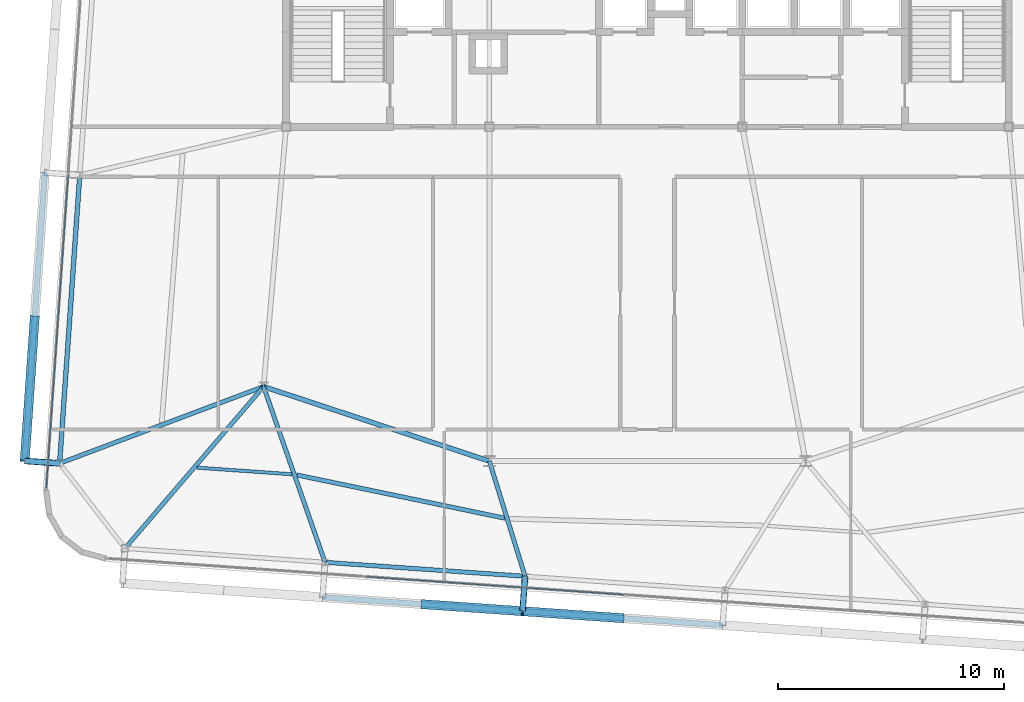
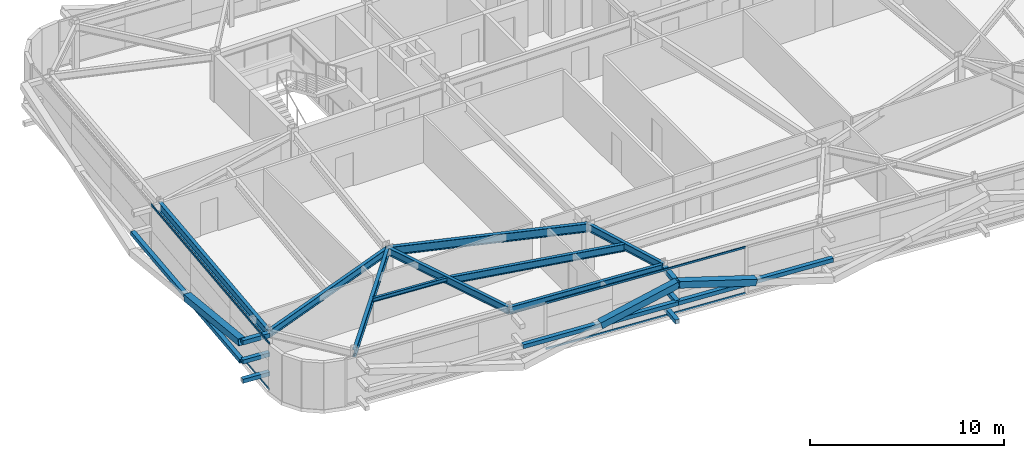
# One storey, part 8 of 39: 16 members, 9 beams, 2 elements without a shape of their own.
"""IFC4 building model written with IfcOpenShell, lengths in metres."""

from ifc_helpers import new_model, si_unit, direction, frame, origin, origin_2d, place, context, subcontext, project, spatial, hollow_rectangle, i_section, extrude, source, transform, mapped, material, layer, layer_set, material_profile, profile_set, type_object, element, aggregate, save


model = new_model("IFC4")

# Units and contexts
model_context = context("Model", 3, precision=1e-05, world=origin(), true_north=direction((0.0, 1.0)))
body_context = subcontext(model_context, "Body", "Model", "MODEL_VIEW")
ifc_project = project(units=[si_unit("LENGTHUNIT", "METRE"), si_unit("AREAUNIT", "SQUARE_METRE"), si_unit("VOLUMEUNIT", "CUBIC_METRE"), si_unit("PLANEANGLEUNIT", "RADIAN"), si_unit("MASSUNIT", "GRAM", prefix="KILO")], contexts=[model_context])

# Site, building, storey
site_placement = place(None, origin())
site = spatial("IfcSite", under=ifc_project, at=site_placement, CompositionType="ELEMENT")
building_placement = place(site_placement, origin())
building = spatial("IfcBuilding", under=site, at=building_placement, Name="Taldren Reach Tower", CompositionType="ELEMENT")
storey_placement = place(building_placement, frame((0.0, 0.0, 129.85009765625)))
storey = spatial("IfcBuildingStorey", under=building, at=storey_placement, Name="L39", CompositionType="ELEMENT", Elevation=129.85009765625)

# Beam
ifc_material_1 = material(Name="Steel Gr 350 (350PLUS)", Category="steel")
ifc_material_profile_1 = material_profile(ifc_material_1, i_section(OverallWidth=0.208984375, OverallDepth=0.532958984375, WebThickness=0.01025390625, FlangeThickness=0.015625, at=origin_2d()), Name="530UB92.4")
ifc_profile_set_1 = profile_set([ifc_material_profile_1], Name="Steel Gr 350 (350PLUS)")
beam_type_1 = type_object("IfcBeamType", Name="BM-UB530A", PredefinedType="BEAM", material=ifc_profile_set_1)
shared_shape_1 = source(origin(), body_context, "Body", "SweptSolid", [
    extrude(i_section(OverallWidth=0.208984375, OverallDepth=0.532958984375, WebThickness=0.01025390625, FlangeThickness=0.015625, at=origin_2d()), origin(), (0.0, 0.0, 1.0), 10.530517578125),
])
beam_1_placement = place(storey_placement, frame((18.0, 12.5, 2.663330078125), z_axis=(0.949627269203, -0.313381635689, 0.0), x_axis=(0.313381635689, 0.949627269203, 0.0)))
element("IfcBeam", 1, at=beam_1_placement, inside=storey, type_object=beam_type_1, Name="Core-spine girder L39-SP10", PredefinedType="BEAM", context=body_context, shape_type="MappedRepresentation", body=[
    mapped(shared_shape_1, transform((0.0, 0.0, 0.0), scale=1.0)),
])

# Members
ifc_material_2 = material(Name="Steel Gr 450 (C450L0)", Category="steel")
ifc_material_profile_2 = material_profile(ifc_material_2, hollow_rectangle(XDim=0.27490234375, YDim=0.27490234375, WallThickness=0.00927734375, at=origin_2d()), Name="275x275x9.3SHS")
ifc_profile_set_2 = profile_set([ifc_material_profile_2], Name="Steel Gr 450 (C450L0)")
member_type_1 = type_object("IfcMemberType", Name="MB-TIE273", PredefinedType="STRUT", material=ifc_profile_set_2)
shared_shape_2 = source(origin(), body_context, "Body", "SweptSolid", [
    extrude(hollow_rectangle(XDim=0.27490234375, YDim=0.27490234375, WallThickness=0.00927734375, at=origin_2d()), origin(), (0.0, 0.0, 1.0), 1.5498046875),
])
member_1_placement = place(storey_placement, frame((8.96875, 9.099609375, 2.64990234375), z_axis=(-0.997573320145, 0.069623781384, 0.0), x_axis=(-0.069623781384, -0.997573320145, 0.0)))
element("IfcMember", 2, at=member_1_placement, inside=storey, type_object=member_type_1, Name="Exoskeleton diaphragm tie strut B3-W1 L39", PredefinedType="STRUT", context=body_context, shape_type="MappedRepresentation", body=[
    mapped(shared_shape_2, transform((0.0, 0.0, 0.0), scale=1.0)),
])
ifc_material_3 = material(Name="Steel Gr 350 (C350L0)", Category="steel")
ifc_material_profile_3 = material_profile(ifc_material_3, hollow_rectangle(XDim=0.25, YDim=0.25, WallThickness=0.010009765625, at=origin_2d()), Name="250x250x10.0SHS")
ifc_profile_set_3 = profile_set([ifc_material_profile_3], Name="Steel Gr 350 (C350L0)")
member_type_2 = type_object("IfcMemberType", Name="MB-POST250", PredefinedType="POST", material=ifc_profile_set_3)
shared_shape_3 = source(origin(), body_context, "Body", "SweptSolid", [
    extrude(hollow_rectangle(XDim=0.25, YDim=0.25, WallThickness=0.010009765625, at=origin_2d()), origin(), (0.0, 0.0, 1.0), 1.5498046875),
])
for number, where, z_axis, x_axis, name in (
    (3, (8.96875, 9.099609375, 0.219970703125), (-0.997573320145, 0.069623781384, 0.0), (-0.069623781384, -0.997573320145, 0.0), "Exoskeleton base diaphragm tie strut B3-W1 L39"),
    (4, (8.96875, 9.099609375, 1.434814453125), (-0.997573320145, 0.069623781384, 0.0), (-0.069623781384, -0.997573320145, 0.0), "Exoskeleton mid-tier diaphragm tie B3-W1 L39"),
):
    element("IfcMember", number, at=place(storey_placement, frame(where, z_axis=z_axis, x_axis=x_axis)), inside=storey, type_object=member_type_2, Name=name, PredefinedType="POST", context=body_context, shape_type="MappedRepresentation", body=[
        mapped(shared_shape_3, transform((0.0, 0.0, 0.0), scale=1.0)),
    ])
shared_shape_4 = source(origin(), body_context, "Body", "SweptSolid", [
    extrude(hollow_rectangle(XDim=0.27490234375, YDim=0.27490234375, WallThickness=0.00927734375, at=origin_2d()), origin(), (0.0, 0.0, 1.0), 1.550048828125),
])
member_2_placement = place(storey_placement, frame((29.580322265625, 4.099609375, 2.64990234375), z_axis=(-0.06976957191, -0.99756313426, 0.0), x_axis=(0.99756313426, -0.06976957191, 0.0)))
element("IfcMember", 5, at=member_2_placement, inside=storey, type_object=member_type_1, Name="Exoskeleton diaphragm tie strut B3-S3 L39", PredefinedType="STRUT", context=body_context, shape_type="MappedRepresentation", body=[
    mapped(shared_shape_4, transform((0.0, 0.0, 0.0), scale=1.0)),
])
shared_shape_5 = source(origin(), body_context, "Body", "SweptSolid", [
    extrude(hollow_rectangle(XDim=0.25, YDim=0.25, WallThickness=0.010009765625, at=origin_2d()), origin(), (0.0, 0.0, 1.0), 1.550048828125),
])
for number, where, z_axis, x_axis, name in (
    (6, (29.580322265625, 4.099609375, 0.219970703125), (-0.06976957191, -0.99756313426, 0.0), (0.99756313426, -0.06976957191, 0.0), "Exoskeleton base diaphragm tie strut B3-S3 L39"),
    (7, (29.580322265625, 4.099609375, 1.434814453125), (-0.06976957191, -0.99756313426, 0.0), (0.99756313426, -0.06976957191, 0.0), "Exoskeleton mid-tier diaphragm tie B3-S3 L39"),
):
    element("IfcMember", number, at=place(storey_placement, frame(where, z_axis=z_axis, x_axis=x_axis)), inside=storey, type_object=member_type_2, Name=name, PredefinedType="POST", context=body_context, shape_type="MappedRepresentation", body=[
        mapped(shared_shape_5, transform((0.0, 0.0, 0.0), scale=1.0)),
    ])

# Beams
ifc_material_profile_4 = material_profile(ifc_material_1, i_section(OverallWidth=0.18994140625, OverallDepth=0.4541015625, WebThickness=0.008544921875, FlangeThickness=0.0126953125, at=origin_2d()), Name="460UB67.1")
ifc_profile_set_4 = profile_set([ifc_material_profile_4], Name="Steel Gr 350 (350PLUS)")
beam_type_2 = type_object("IfcBeamType", Name="SP-UB460B", PredefinedType="SPANDREL", material=ifc_profile_set_4)
shared_shape_6 = source(origin(), body_context, "Body", "SweptSolid", [
    extrude(i_section(OverallWidth=0.18994140625, OverallDepth=0.4541015625, WebThickness=0.008544921875, FlangeThickness=0.0126953125, at=origin_2d()), origin(), (0.0, 0.0, 1.0), 8.880126953125),
])
beam_2_placement = place(storey_placement, frame((20.721923828125, 4.718994140625, 2.702880859375), z_axis=(0.997564479639, -0.069750333063, 0.0), x_axis=(0.069750333063, 0.997564479639, 0.0)))
element("IfcBeam", 8, at=beam_2_placement, inside=storey, type_object=beam_type_2, Name="Perimeter spandrel B3 S2-S3 L39", PredefinedType="SPANDREL", context=body_context, shape_type="MappedRepresentation", body=[
    mapped(shared_shape_6, transform((0.0, 0.0, 0.0), scale=1.0)),
])
ifc_material_profile_5 = material_profile(ifc_material_1, i_section(OverallWidth=0.208984375, OverallDepth=0.528076171875, WebThickness=0.009521484375, FlangeThickness=0.01318359375, at=origin_2d()), Name="530UB82.0")
ifc_profile_set_5 = profile_set([ifc_material_profile_5], Name="Steel Gr 350 (350PLUS)")
beam_type_3 = type_object("IfcBeamType", Name="SP-UB530B", PredefinedType="SPANDREL", material=ifc_profile_set_5)
shared_shape_7 = source(origin(), body_context, "Body", "SweptSolid", [
    extrude(i_section(OverallWidth=0.208984375, OverallDepth=0.528076171875, WebThickness=0.009521484375, FlangeThickness=0.01318359375, at=origin_2d()), origin(), (0.0, 0.0, 1.0), 12.800048828125),
])
beam_3_placement = place(storey_placement, frame((9.86181640625, 21.868408203125, 2.666015625), z_axis=(-0.069770857464, -0.997563044348, 0.0), x_axis=(0.997563044348, -0.069770857464, 0.0)))
element("IfcBeam", 9, at=beam_3_placement, inside=storey, type_object=beam_type_3, Name="Perimeter spandrel B3 W2-W1 L39", PredefinedType="SPANDREL", context=body_context, shape_type="MappedRepresentation", body=[
    mapped(shared_shape_7, transform((0.0, 0.0, 0.0), scale=1.0)),
])
ifc_material_profile_6 = material_profile(ifc_material_1, i_section(OverallWidth=0.19091796875, OverallDepth=0.4599609375, WebThickness=0.010009765625, FlangeThickness=0.01611328125, at=origin_2d()), Name="460UB82.1")
ifc_profile_set_6 = profile_set([ifc_material_profile_6], Name="Steel Gr 350 (350PLUS)")
beam_type_4 = type_object("IfcBeamType", Name="BM-UB460A", PredefinedType="BEAM", material=ifc_profile_set_6)
shared_shape_8 = source(origin(), body_context, "Body", "SweptSolid", [
    extrude(i_section(OverallWidth=0.19091796875, OverallDepth=0.4599609375, WebThickness=0.010009765625, FlangeThickness=0.01611328125, at=origin_2d()), origin(), (0.0, 0.0, 1.0), 9.43115234375),
])
beam_4_placement = place(storey_placement, frame((18.0, 12.5, 2.699951171875), z_axis=(-0.650665584965, -0.759364402999, 0.0), x_axis=(0.759364402999, -0.650665584965, 0.0)))
element("IfcBeam", 10, at=beam_4_placement, inside=storey, type_object=beam_type_4, Name="Primary floor girder B3-S1 L39", PredefinedType="BEAM", context=body_context, shape_type="MappedRepresentation", body=[
    mapped(shared_shape_8, transform((0.0, 0.0, 0.0), scale=1.0)),
])
shared_shape_9 = source(origin(), body_context, "Body", "SweptSolid", [
    extrude(i_section(OverallWidth=0.19091796875, OverallDepth=0.4599609375, WebThickness=0.010009765625, FlangeThickness=0.01611328125, at=origin_2d()), origin(), (0.0, 0.0, 1.0), 8.243408203125),
])
beam_5_placement = place(storey_placement, frame((18.0, 12.5, 2.699951171875), z_axis=(0.330196070713, -0.943912366105, 0.0), x_axis=(0.943912366105, 0.330196070713, 0.0)))
element("IfcBeam", 11, at=beam_5_placement, inside=storey, type_object=beam_type_4, Name="Primary floor girder B3-S2 L39", PredefinedType="BEAM", context=body_context, shape_type="MappedRepresentation", body=[
    mapped(shared_shape_9, transform((0.0, 0.0, 0.0), scale=1.0)),
])
shared_shape_10 = source(origin(), body_context, "Body", "SweptSolid", [
    extrude(i_section(OverallWidth=0.19091796875, OverallDepth=0.4599609375, WebThickness=0.010009765625, FlangeThickness=0.01611328125, at=origin_2d()), origin(), (0.0, 0.0, 1.0), 5.339599609375),
])
beam_6_placement = place(storey_placement, frame((28.0, 9.199951171875, 2.699951171875), z_axis=(0.295964865482, -0.955198826632, 0.0), x_axis=(0.955198826632, 0.295964865482, 0.0)))
element("IfcBeam", 12, at=beam_6_placement, inside=storey, type_object=beam_type_4, Name="Primary floor girder B3-S3 L39", PredefinedType="BEAM", context=body_context, shape_type="MappedRepresentation", body=[
    mapped(shared_shape_10, transform((0.0, 0.0, 0.0), scale=1.0)),
])
shared_shape_11 = source(origin(), body_context, "Body", "SweptSolid", [
    extrude(i_section(OverallWidth=0.19091796875, OverallDepth=0.4599609375, WebThickness=0.010009765625, FlangeThickness=0.01611328125, at=origin_2d()), origin(), (0.0, 0.0, 1.0), 9.650146484375),
])
beam_7_placement = place(storey_placement, frame((18.0, 12.5, 2.699951171875), z_axis=(-0.935862573906, -0.352365212191, 0.0), x_axis=(0.352365212191, -0.935862573906, 0.0)))
element("IfcBeam", 13, at=beam_7_placement, inside=storey, type_object=beam_type_4, Name="Primary floor girder B3-W1 L39", PredefinedType="BEAM", context=body_context, shape_type="MappedRepresentation", body=[
    mapped(shared_shape_11, transform((0.0, 0.0, 0.0), scale=1.0)),
])
ifc_material_4 = material(Name="Steel Gr 300 (300PLUS, 300 MPa)", Category="steel")
ifc_material_profile_7 = material_profile(ifc_material_4, i_section(OverallWidth=0.14599609375, OverallDepth=0.256103515625, WebThickness=0.00634765625, FlangeThickness=0.010986328125, at=origin_2d()), Name="250UB37.3")
ifc_profile_set_7 = profile_set([ifc_material_profile_7], Name="Steel Gr 300 (300PLUS, 300 MPa)")
beam_type_5 = type_object("IfcBeamType", Name="JS-UB250", PredefinedType="JOIST", material=ifc_profile_set_7)
shared_shape_12 = source(origin(), body_context, "Body", "SweptSolid", [
    extrude(i_section(OverallWidth=0.14599609375, OverallDepth=0.256103515625, WebThickness=0.00634765625, FlangeThickness=0.010986328125, at=origin_2d()), origin(), (0.0, 0.0, 1.0), 4.217041015625),
])
beam_8_placement = place(storey_placement, frame((15.050537109375, 8.910888671875, 2.802001953125), z_axis=(0.997563683226, -0.069761722378, 0.0), x_axis=(0.069761722378, 0.997563683226, 0.0)))
element("IfcBeam", 14, at=beam_8_placement, inside=storey, type_object=beam_type_5, Name="Secondary floor joist B3 J1 L39", PredefinedType="JOIST", context=body_context, shape_type="MappedRepresentation", body=[
    mapped(shared_shape_12, transform((0.0, 0.0, 0.0), scale=1.0)),
])
shared_shape_13 = source(origin(), body_context, "Body", "SweptSolid", [
    extrude(i_section(OverallWidth=0.19091796875, OverallDepth=0.4599609375, WebThickness=0.010009765625, FlangeThickness=0.01611328125, at=origin_2d()), origin(), (0.0, 0.0, 1.0), 9.410400390625),
])
beam_9_placement = place(storey_placement, frame((19.469970703125, 8.5869140625, 2.699951171875), z_axis=(0.97907399109, -0.20350459447, 0.0), x_axis=(0.20350459447, 0.97907399109, 0.0)))
element("IfcBeam", 15, at=beam_9_placement, inside=storey, type_object=beam_type_4, Name="Secondary floor beam B3 J2 L39", PredefinedType="BEAM", context=body_context, shape_type="MappedRepresentation", body=[
    mapped(shared_shape_13, transform((0.0, 0.0, 0.0), scale=1.0)),
])

# Members
shared_shape_14 = source(origin(), body_context, "Body", "SweptSolid", [
    extrude(hollow_rectangle(XDim=0.25, YDim=0.25, WallThickness=0.010009765625, at=origin_2d()), origin(), (0.0, 0.0, 1.0), 8.880126953125),
])
for number, where, z_axis, x_axis, name in (
    (16, (20.61376953125, 3.1728515625, 1.434814453125), (0.997562566276, -0.06977769246, 0.0), (0.06977769246, 0.997562566276, 0.0), "Exoskeleton mid-height ring chord B3-S2 L39"),
    (17, (29.47216796875, 2.55322265625, 1.434814453125), (0.997564479639, -0.069750333063, 0.0), (0.069750333063, 0.997564479639, 0.0), "Exoskeleton mid-height ring chord B3-S3 L39"),
):
    element("IfcMember", number, at=place(storey_placement, frame(where, z_axis=z_axis, x_axis=x_axis)), inside=storey, type_object=member_type_2, Name=name, PredefinedType="POST", context=body_context, shape_type="MappedRepresentation", body=[
        mapped(shared_shape_14, transform((0.0, 0.0, 0.0), scale=1.0)),
    ])
shared_shape_15 = source(origin(), body_context, "Body", "SweptSolid", [
    extrude(hollow_rectangle(XDim=0.25, YDim=0.25, WallThickness=0.010009765625, at=origin_2d()), origin(), (0.0, 0.0, 1.0), 12.80029296875),
])
member_3_placement = place(storey_placement, frame((7.422607421875, 9.20751953125, 1.434814453125), z_axis=(0.069750549628, 0.997564464497, 0.0), x_axis=(-0.997564464497, 0.069750549628, 0.0)))
element("IfcMember", 18, at=member_3_placement, inside=storey, type_object=member_type_2, Name="Exoskeleton mid-height ring chord B3-W1 L39", PredefinedType="POST", context=body_context, shape_type="MappedRepresentation", body=[
    mapped(shared_shape_15, transform((0.0, 0.0, 0.0), scale=1.0)),
])
ifc_material_profile_8 = material_profile(ifc_material_2, hollow_rectangle(XDim=0.409912109375, YDim=0.409912109375, WallThickness=0.01611328125, at=origin_2d()), Name="410x410x16.0SHS")
ifc_profile_set_8 = profile_set([ifc_material_profile_8], Name="Steel Gr 450 (C450L0)")
member_type_3 = type_object("IfcMemberType", Name="MB-EXO406", PredefinedType="BRACE", material=ifc_profile_set_8)
shared_shape_16 = source(origin(), body_context, "Body", "SweptSolid", [
    extrude(hollow_rectangle(XDim=0.409912109375, YDim=0.409912109375, WallThickness=0.01611328125, at=origin_2d()), origin(), (0.0, 0.0, 1.0), 4.603271484375),
])
for number, where, z_axis, x_axis, name in (
    (19, (25.04296875, 2.863037109375, 1.434814453125), (0.962182351074, -0.067302910567, 0.263961060594), (0.06977769246, 0.997562566276, 0.0), "Exoskeleton Diagrid Brace B3-S2 L39"),
    (20, (33.9013671875, 2.24365234375, 1.434814453125), (-0.962185784239, 0.067250114343, 0.263962002434), (-0.069722973508, -0.997566392259, 0.0), "Exoskeleton Diagrid Brace B3-S3 L39"),
):
    element("IfcMember", number, at=place(storey_placement, frame(where, z_axis=z_axis, x_axis=x_axis)), inside=storey, type_object=member_type_3, Name=name, PredefinedType="BRACE", context=body_context, shape_type="MappedRepresentation", body=[
        mapped(shared_shape_16, transform((0.0, 0.0, 0.0), scale=1.0)),
    ])
shared_shape_17 = source(origin(), body_context, "Body", "SweptSolid", [
    extrude(hollow_rectangle(XDim=0.409912109375, YDim=0.409912109375, WallThickness=0.01611328125, at=origin_2d()), origin(), (0.0, 0.0, 1.0), 6.514404296875),
])
member_4_placement = place(storey_placement, frame((7.869140625, 15.592041015625, 1.434814453125), z_axis=(-0.068545126831, -0.980056649402, 0.186522195865), x_axis=(0.997563137195, -0.069769529958, 0.0)))
element("IfcMember", 21, at=member_4_placement, inside=storey, type_object=member_type_3, Name="Exoskeleton Diagrid Brace B3-W1 L39", PredefinedType="BRACE", context=body_context, shape_type="MappedRepresentation", body=[
    mapped(shared_shape_17, transform((0.0, 0.0, 0.0), scale=1.0)),
])

# Curtain wall, members
ifc_material_5 = material(Name="Aluminium and Low-E Glass Unitised System", Category="aluminium")
ifc_layer = layer(ifc_material_5, 0.159912109375)
ifc_layer_set = layer_set([ifc_layer], Name="Aluminium and Low-E Glass Unitised System")
curtain_wall_type = type_object("IfcCurtainWallType", Name="CW-SYS-4", PredefinedType="NOTDEFINED", material=ifc_layer_set)
curtain_wall_1_placement = place(storey_placement, origin())
curtain_wall_1 = element("IfcCurtainWall", 22, at=curtain_wall_1_placement, inside=storey, type_object=curtain_wall_type, Name="Unitised curtain wall CW-L39-S", PredefinedType="NOTDEFINED")
ifc_material_6 = material(Name="Anodised Aluminium 6063-T6", Category="aluminium")
ifc_material_profile_9 = material_profile(ifc_material_6, hollow_rectangle(XDim=0.054931640625, YDim=0.1201171875, WallThickness=0.0029296875, at=origin_2d()), Name="ALU-120x55x3RHS")
ifc_profile_set_9 = profile_set([ifc_material_profile_9], Name="Anodised Aluminium 6063-T6")
member_type_4 = type_object("IfcMemberType", Name="CW-TRN-135", PredefinedType="USERDEFINED", material=ifc_profile_set_9)
shared_shape_18 = source(origin(), body_context, "Body", "SweptSolid", [
    extrude(hollow_rectangle(XDim=0.054931640625, YDim=0.1201171875, WallThickness=0.0029296875, at=origin_2d()), origin(), (0.0, 0.0, 1.0), 11.429931640625),
])
member_5_placement = place(storey_placement, frame((22.536865234375, 4.080810546875, 0.02734375), z_axis=(0.997563740938, -0.069760897114, 0.0), x_axis=(0.069760897114, 0.997563740938, 0.0)))
member_5 = element("IfcMember", 23, at=member_5_placement, type_object=member_type_4, Name="CW-4 transom 2.1", ObjectType="TRANSOM", PredefinedType="USERDEFINED", context=body_context, shape_type="MappedRepresentation", body=[
    mapped(shared_shape_18, transform((0.0, 0.0, 0.0), scale=1.0)),
])
member_6_placement = place(storey_placement, frame((22.536865234375, 4.080810546875, 2.90234375), z_axis=(0.997563740938, -0.069760897114, 0.0), x_axis=(0.069760897114, 0.997563740938, 0.0)))
member_6 = element("IfcMember", 24, at=member_6_placement, type_object=member_type_4, Name="CW-4 transom 2.2", ObjectType="TRANSOM", PredefinedType="USERDEFINED", context=body_context, shape_type="MappedRepresentation", body=[
    mapped(shared_shape_18, transform((0.0, 0.0, 0.0), scale=1.0)),
])
aggregate(curtain_wall_1, [member_5, member_6])

curtain_wall_2_placement = place(storey_placement, origin())
curtain_wall_2 = element("IfcCurtainWall", 25, at=curtain_wall_2_placement, inside=storey, type_object=curtain_wall_type, Name="Unitised curtain wall CW-L39-W", PredefinedType="NOTDEFINED")
shared_shape_19 = source(origin(), body_context, "Body", "SweptSolid", [
    extrude(hollow_rectangle(XDim=0.054931640625, YDim=0.1201171875, WallThickness=0.0029296875, at=origin_2d()), origin(), (0.0, 0.0, 1.0), 13.89501953125),
])
member_7_placement = place(storey_placement, frame((9.3505859375, 21.868896484375, 0.02734375), z_axis=(-0.069754817075, -0.997564166104, 0.0), x_axis=(0.997564166104, -0.069754817075, 0.0)))
member_7 = element("IfcMember", 26, at=member_7_placement, type_object=member_type_4, Name="CW-4 transom 2.1", ObjectType="TRANSOM", PredefinedType="USERDEFINED", context=body_context, shape_type="MappedRepresentation", body=[
    mapped(shared_shape_19, transform((0.0, 0.0, 0.0), scale=1.0)),
])
member_8_placement = place(storey_placement, frame((9.3505859375, 21.868896484375, 2.90234375), z_axis=(-0.069754817075, -0.997564166104, 0.0), x_axis=(0.997564166104, -0.069754817075, 0.0)))
member_8 = element("IfcMember", 27, at=member_8_placement, type_object=member_type_4, Name="CW-4 transom 2.2", ObjectType="TRANSOM", PredefinedType="USERDEFINED", context=body_context, shape_type="MappedRepresentation", body=[
    mapped(shared_shape_19, transform((0.0, 0.0, 0.0), scale=1.0)),
])
aggregate(curtain_wall_2, [member_7, member_8])

save(model, "model.ifc")
